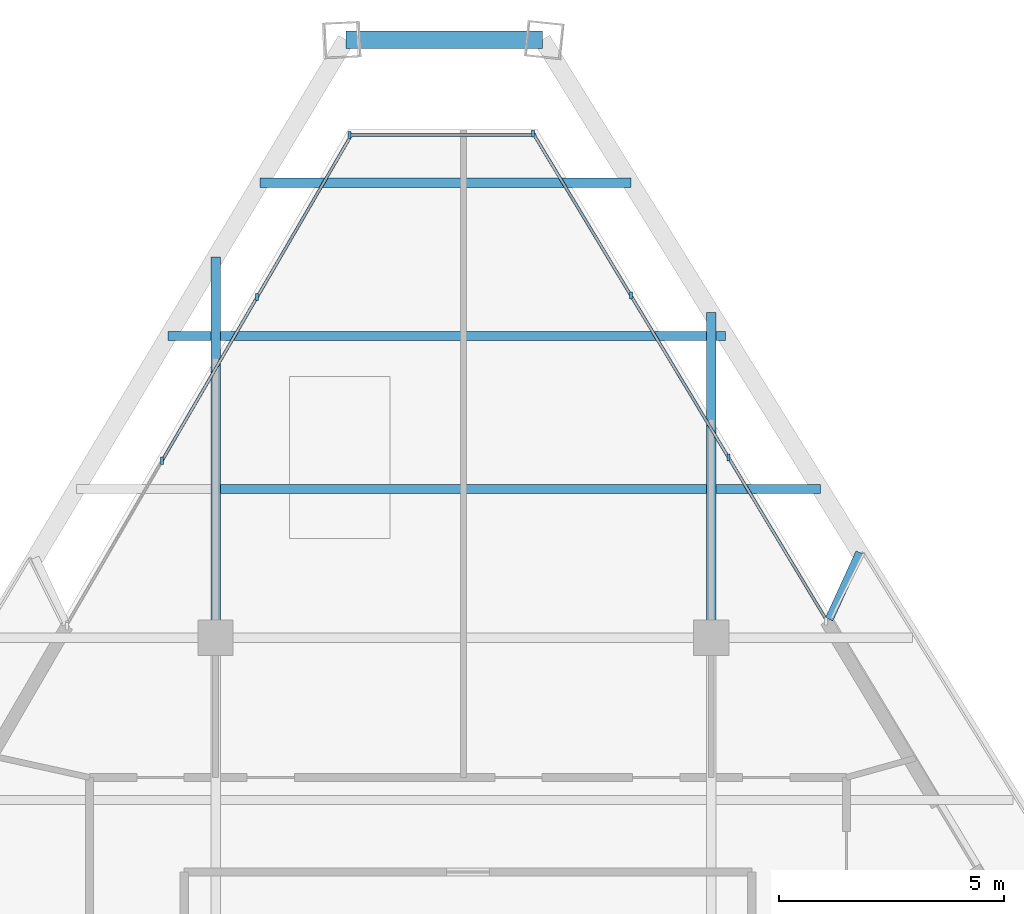
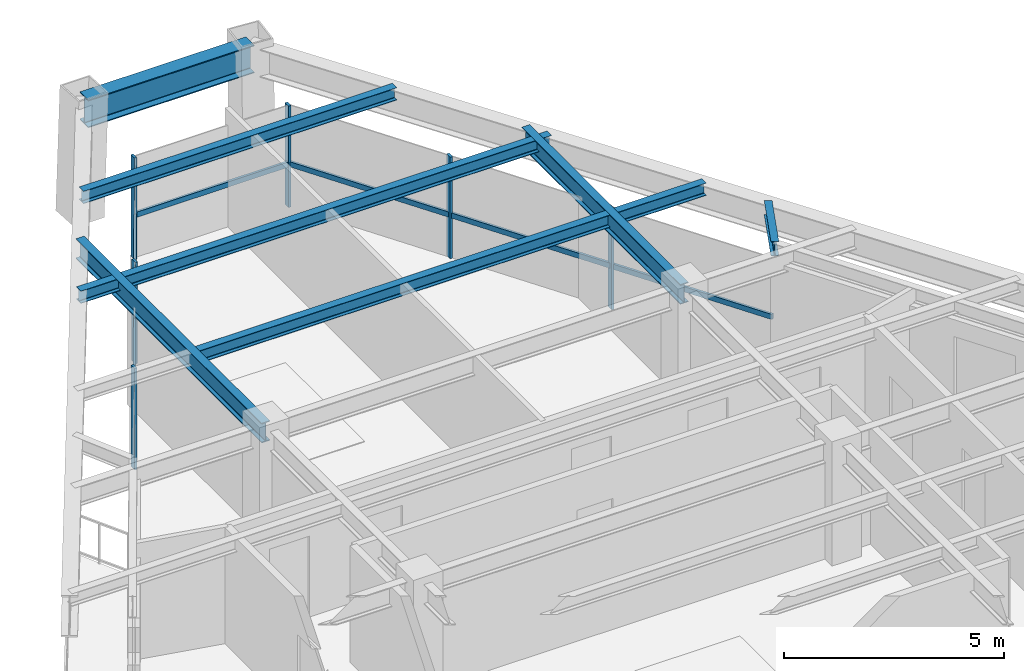
# One storey, part 7 of 13: 12 members, 8 beams, 3 elements without a shape of their own.
"""IFC4 building model written with IfcOpenShell, lengths in metres."""

from ifc_helpers import new_model, si_unit, direction, frame, origin, origin_2d, place, context, subcontext, project, spatial, rectangle, i_section, extrude, source, transform, mapped, material, material_profile, profile_set, type_object, type_shapes, element, aggregate, save


model = new_model("IFC4")

# Units and contexts
model_context = context("Model", 3, precision=1e-05, world=origin(), true_north=direction((0.0, 1.0)))
body_context = subcontext(model_context, "Body", "Model", "MODEL_VIEW")
ifc_project = project(units=[si_unit("LENGTHUNIT", "METRE"), si_unit("AREAUNIT", "SQUARE_METRE"), si_unit("VOLUMEUNIT", "CUBIC_METRE"), si_unit("PLANEANGLEUNIT", "RADIAN"), si_unit("MASSUNIT", "GRAM", prefix="KILO")], contexts=[model_context])

# Site, building, storey
site_placement = place(None, origin())
site = spatial("IfcSite", under=ifc_project, at=site_placement, CompositionType="ELEMENT")
building_placement = place(site_placement, origin())
building = spatial("IfcBuilding", under=site, at=building_placement, Name="Varnakhor Terracotta Tower", CompositionType="ELEMENT")
storey_placement = place(building_placement, frame((0.0, 0.0, 262.64990234375)))
storey = spatial("IfcBuildingStorey", under=building, at=storey_placement, Name="L68", CompositionType="ELEMENT", Elevation=262.64990234375)

# Beams
ifc_material_1 = material(Name="Steel S355", Category="steel")
ifc_material_profile_1 = material_profile(ifc_material_1, i_section(OverallWidth=0.202880859375, OverallDepth=0.346923828125, WebThickness=0.0078125, FlangeThickness=0.013427734375, FilletRadius=0.01806640625, at=origin_2d()), Name="W14X43")
ifc_profile_set_1 = profile_set([ifc_material_profile_1], Name="Steel S355")
beam_type_1 = type_object("IfcBeamType", Name="JST-W14X43", PredefinedType="JOIST", material=ifc_profile_set_1)
shared_shape_1 = source(origin(), body_context, "Body", "SweptSolid", [
    extrude(i_section(OverallWidth=0.202880859375, OverallDepth=0.346923828125, WebThickness=0.0078125, FlangeThickness=0.013427734375, FilletRadius=0.01806640625, at=origin_2d()), origin(), (0.0, 0.0, 1.0), 10.7939453125),
])
beam_1_placement = place(storey_placement, frame((-5.39697265625, 34.800048828125, 3.066650390625), z_axis=(1.0, 0.0, 0.0), x_axis=(0.0, 1.0, 0.0)))
element("IfcBeam", 1, at=beam_1_placement, inside=storey, type_object=beam_type_1, Name="L68 Composite Floor Joist 7-2", PredefinedType="JOIST", context=body_context, shape_type="MappedRepresentation", body=[
    mapped(shared_shape_1, transform((0.0, 0.0, 0.0), scale=1.0)),
])
ifc_material_profile_2 = material_profile(ifc_material_1, i_section(OverallWidth=0.381103515625, OverallDepth=0.77294921875, WebThickness=0.01708984375, FlangeThickness=0.027099609375, FilletRadius=0.01806640625, at=origin_2d()), Name="W30X173")
ifc_profile_set_2 = profile_set([ifc_material_profile_2], Name="Steel S355")
beam_type_2 = type_object("IfcBeamType", Name="BM-W30X173", PredefinedType="BEAM", material=ifc_profile_set_2)
shared_shape_2 = source(origin(), body_context, "Body", "SweptSolid", [
    extrude(i_section(OverallWidth=0.381103515625, OverallDepth=0.77294921875, WebThickness=0.01708984375, FlangeThickness=0.027099609375, FilletRadius=0.01806640625, at=origin_2d()), origin(), (0.0, 0.0, 1.0), 4.361328125),
])
beam_2_placement = place(storey_placement, frame((1.75146484375, 44.772216796875, 2.853515625), z_axis=(-1.0, 0.0, 0.0), x_axis=(0.0, -1.0, 0.0)))
element("IfcBeam", 2, at=beam_2_placement, inside=storey, type_object=beam_type_2, Name="L68 Perimeter Spandrel 5", PredefinedType="BEAM", context=body_context, shape_type="MappedRepresentation", body=[
    mapped(shared_shape_2, transform((0.0, 0.0, 0.0), scale=1.0)),
])
ifc_material_profile_3 = material_profile(ifc_material_1, i_section(OverallWidth=0.214111328125, OverallDepth=0.549072265625, WebThickness=0.014892578125, FlangeThickness=0.02392578125, FilletRadius=0.01806640625, at=origin_2d()), Name="W21X93")
ifc_profile_set_3 = profile_set([ifc_material_profile_3], Name="Steel S355")
beam_type_3 = type_object("IfcBeamType", Name="BM-W21X93", PredefinedType="BEAM", material=ifc_profile_set_3)
shared_shape_3 = source(origin(), body_context, "Body", "SweptSolid", [
    extrude(i_section(OverallWidth=0.214111328125, OverallDepth=0.549072265625, WebThickness=0.014892578125, FlangeThickness=0.02392578125, FilletRadius=0.01806640625, at=origin_2d()), origin(), (0.0, 0.0, 1.0), 8.4541015625),
])
beam_3_placement = place(storey_placement, frame((-5.5, 31.5, 2.965576171875), z_axis=(0.0, 1.0, 0.0), x_axis=(-1.0, 0.0, 0.0)))
element("IfcBeam", 3, at=beam_3_placement, inside=storey, type_object=beam_type_3, Name="L68 Primary Girder NS3-W", PredefinedType="BEAM", context=body_context, shape_type="MappedRepresentation", body=[
    mapped(shared_shape_3, transform((0.0, 0.0, 0.0), scale=1.0)),
])
shared_shape_4 = source(origin(), body_context, "Body", "SweptSolid", [
    extrude(i_section(OverallWidth=0.214111328125, OverallDepth=0.549072265625, WebThickness=0.014892578125, FlangeThickness=0.02392578125, FilletRadius=0.01806640625, at=origin_2d()), origin(), (0.0, 0.0, 1.0), 7.216796875),
])
beam_4_placement = place(storey_placement, frame((5.5, 31.5, 2.965576171875), z_axis=(0.0, 1.0, 0.0), x_axis=(-1.0, 0.0, 0.0)))
element("IfcBeam", 4, at=beam_4_placement, inside=storey, type_object=beam_type_3, Name="L68 Primary Girder NS3-E", PredefinedType="BEAM", context=body_context, shape_type="MappedRepresentation", body=[
    mapped(shared_shape_4, transform((0.0, 0.0, 0.0), scale=1.0)),
])
shared_shape_5 = source(origin(), body_context, "Body", "SweptSolid", [
    extrude(i_section(OverallWidth=0.202880859375, OverallDepth=0.346923828125, WebThickness=0.0078125, FlangeThickness=0.013427734375, FilletRadius=0.01806640625, at=origin_2d()), origin(), (0.0, 0.0, 1.0), 2.32177734375),
])
beam_5_placement = place(storey_placement, frame((5.60302734375, 34.800048828125, 3.066650390625), z_axis=(1.0, 0.0, 0.0), x_axis=(0.0, 1.0, 0.0)))
element("IfcBeam", 5, at=beam_5_placement, inside=storey, type_object=beam_type_1, Name="L68 Composite Floor Joist 7-3", PredefinedType="JOIST", context=body_context, shape_type="MappedRepresentation", body=[
    mapped(shared_shape_5, transform((0.0, 0.0, 0.0), scale=1.0)),
])
shared_shape_6 = source(origin(), body_context, "Body", "SweptSolid", [
    extrude(i_section(OverallWidth=0.202880859375, OverallDepth=0.346923828125, WebThickness=0.0078125, FlangeThickness=0.013427734375, FilletRadius=0.01806640625, at=origin_2d()), origin(), (0.0, 0.0, 1.0), 12.372314453125),
])
beam_6_placement = place(storey_placement, frame((-6.55224609375, 38.199951171875, 3.066650390625), z_axis=(1.0, 0.0, 0.0), x_axis=(0.0, 1.0, 0.0)))
element("IfcBeam", 6, at=beam_6_placement, inside=storey, type_object=beam_type_1, Name="L68 Composite Floor Joist 8-1", PredefinedType="JOIST", context=body_context, shape_type="MappedRepresentation", body=[
    mapped(shared_shape_6, transform((0.0, 0.0, 0.0), scale=1.0)),
])
shared_shape_7 = source(origin(), body_context, "Body", "SweptSolid", [
    extrude(i_section(OverallWidth=0.202880859375, OverallDepth=0.346923828125, WebThickness=0.0078125, FlangeThickness=0.013427734375, FilletRadius=0.01806640625, at=origin_2d()), origin(), (0.0, 0.0, 1.0), 8.227783203125),
])
beam_7_placement = place(storey_placement, frame((-4.5126953125, 41.60009765625, 3.066650390625), z_axis=(1.0, 0.0, 0.0), x_axis=(0.0, 1.0, 0.0)))
element("IfcBeam", 7, at=beam_7_placement, inside=storey, type_object=beam_type_1, Name="L68 Composite Floor Joist 9-1", PredefinedType="JOIST", context=body_context, shape_type="MappedRepresentation", body=[
    mapped(shared_shape_7, transform((0.0, 0.0, 0.0), scale=1.0)),
])

# Curtain wall, members
ifc_material_2 = material(Name="Anodised Aluminium Curtain Wall System", Category="aluminium")
curtain_wall_type = type_object("IfcCurtainWallType", Name="CW-SYS-HOTEL-LOGGIA", PredefinedType="NOTDEFINED", material=ifc_material_2)
curtain_wall_1_placement = place(storey_placement, origin())
curtain_wall_1 = element("IfcCurtainWall", 8, at=curtain_wall_1_placement, inside=storey, type_object=curtain_wall_type, Name="L68 W Facet Curtain Wall 2", PredefinedType="NOTDEFINED")
ifc_material_3 = material(Name="Anodised Aluminium 6063-T6", Category="aluminium")
ifc_material_profile_4 = material_profile(ifc_material_3, rectangle(XDim=0.06494140625, YDim=0.159912109375, at=origin_2d()), Name="ALU MULLION 65x160")
ifc_profile_set_4 = profile_set([ifc_material_profile_4], Name="Anodised Aluminium 6063-T6")
member_type_1 = type_object("IfcMemberType", Name="CWM-04", PredefinedType="MULLION", material=ifc_profile_set_4)
shared_shape_8 = source(origin(), body_context, "Body", "SweptSolid", [
    extrude(rectangle(XDim=0.06494140625, YDim=0.159912109375, at=origin_2d()), origin(), (0.0, 0.0, 1.0), 2.820068359375),
])
type_shapes(member_type_1, [shared_shape_8])
member_1_placement = place(storey_placement, frame((-6.690185546875, 35.427490234375, 0.0), z_axis=(0.0, 0.0, 1.0), x_axis=(1.0, 0.0, 0.0)))
member_1 = element("IfcMember", 9, at=member_1_placement, type_object=member_type_1, Name="L68 W Facet Curtain Wall 2 Mullion 2", PredefinedType="MULLION", context=body_context, shape_type="MappedRepresentation", body=[
    mapped(shared_shape_8, transform((0.0, 0.0, 0.0), scale=1.0)),
])
member_2_placement = place(storey_placement, frame((-4.578369140625, 39.061279296875, 0.0), z_axis=(0.0, 0.0, 1.0), x_axis=(1.0, 0.0, 0.0)))
member_2 = element("IfcMember", 10, at=member_2_placement, type_object=member_type_1, Name="L68 W Facet Curtain Wall 2 Mullion 3", PredefinedType="MULLION", context=body_context, shape_type="MappedRepresentation", body=[
    mapped(shared_shape_8, transform((0.0, 0.0, 0.0), scale=1.0)),
])

# Curtain wall, member
curtain_wall_2_placement = place(storey_placement, origin())
curtain_wall_2 = element("IfcCurtainWall", 11, at=curtain_wall_2_placement, inside=storey, type_object=curtain_wall_type, Name="L68 Facet Curtain Wall 2", PredefinedType="NOTDEFINED")
member_3_placement = place(storey_placement, frame((-2.52490234375, 42.6611328125, 0.0), z_axis=(0.0, 0.0, 1.0), x_axis=(1.0, 0.0, 0.0)))
member_3 = element("IfcMember", 12, at=member_3_placement, type_object=member_type_1, Name="L68 Facet Curtain Wall 2 Mullion 1", PredefinedType="MULLION", context=body_context, shape_type="MappedRepresentation", body=[
    mapped(shared_shape_8, transform((0.0, 0.0, 0.0), scale=1.0)),
])

# Curtain wall, members
curtain_wall_3_placement = place(storey_placement, origin())
curtain_wall_3 = element("IfcCurtainWall", 13, at=curtain_wall_3_placement, inside=storey, type_object=curtain_wall_type, Name="L68 E Facet Curtain Wall 1", PredefinedType="NOTDEFINED")
member_4_placement = place(storey_placement, frame((1.547607421875, 42.693603515625, 0.0), z_axis=(0.0, 0.0, 1.0), x_axis=(1.0, 0.0, 0.0)))
member_4 = element("IfcMember", 14, at=member_4_placement, type_object=member_type_1, Name="L68 E Facet Curtain Wall 1 Mullion 1", PredefinedType="MULLION", context=body_context, shape_type="MappedRepresentation", body=[
    mapped(shared_shape_8, transform((0.0, 0.0, 0.0), scale=1.0)),
])
member_5_placement = place(storey_placement, frame((3.7158203125, 39.09619140625, 0.0), z_axis=(0.0, 0.0, 1.0), x_axis=(1.0, 0.0, 0.0)))
member_5 = element("IfcMember", 15, at=member_5_placement, type_object=member_type_1, Name="L68 E Facet Curtain Wall 1 Mullion 2", PredefinedType="MULLION", context=body_context, shape_type="MappedRepresentation", body=[
    mapped(shared_shape_8, transform((0.0, 0.0, 0.0), scale=1.0)),
])
member_6_placement = place(storey_placement, frame((5.884033203125, 35.498779296875, 0.0), z_axis=(0.0, 0.0, 1.0), x_axis=(1.0, 0.0, 0.0)))
member_6 = element("IfcMember", 16, at=member_6_placement, type_object=member_type_1, Name="L68 E Facet Curtain Wall 1 Mullion 3", PredefinedType="MULLION", context=body_context, shape_type="MappedRepresentation", body=[
    mapped(shared_shape_8, transform((0.0, 0.0, 0.0), scale=1.0)),
])

# Member
ifc_material_profile_5 = material_profile(ifc_material_3, rectangle(XDim=0.06494140625, YDim=0.14501953125, at=origin_2d()), Name="ALU TRANSOM 65x145")
ifc_profile_set_5 = profile_set([ifc_material_profile_5], Name="Anodised Aluminium 6063-T6")
member_type_2 = type_object("IfcMemberType", Name="CWT-04", PredefinedType="USERDEFINED", material=ifc_profile_set_5)
shared_shape_9 = source(origin(), body_context, "Body", "SweptSolid", [
    extrude(rectangle(XDim=0.06494140625, YDim=0.14501953125, at=origin_2d()), origin(), (0.0, 0.0, 1.0), 4.202880859375),
])
member_7_placement = place(storey_placement, frame((-6.690185546875, 35.427490234375, 1.1845703125), z_axis=(0.502469005273, 0.864595222483, 0.0), x_axis=(-0.864595222483, 0.502469005273, 0.0)))
member_7 = element("IfcMember", 17, at=member_7_placement, type_object=member_type_2, Name="L68 W Facet Curtain Wall 2 Transom 2", ObjectType="TRANSOM", PredefinedType="USERDEFINED", context=body_context, shape_type="MappedRepresentation", body=[
    mapped(shared_shape_9, transform((0.0, 0.0, 0.0), scale=1.0)),
])

member_8_placement = place(storey_placement, frame((-4.578369140625, 39.061279296875, 1.1845703125), z_axis=(0.502512426272, 0.864569986434, 0.0), x_axis=(-0.864569986434, 0.502512426272, 0.0)))
member_8 = element("IfcMember", 18, at=member_8_placement, type_object=member_type_2, Name="L68 W Facet Curtain Wall 2 Transom 3", ObjectType="TRANSOM", PredefinedType="USERDEFINED", context=body_context, shape_type="MappedRepresentation", body=[
    mapped(shared_shape_9, transform((0.0, 0.0, 0.0), scale=1.0)),
])

aggregate(curtain_wall_1, [member_1, member_7, member_2, member_8])

shared_shape_10 = source(origin(), body_context, "Body", "SweptSolid", [
    extrude(rectangle(XDim=0.06494140625, YDim=0.14501953125, at=origin_2d()), origin(), (0.0, 0.0, 1.0), 4.1298828125),
])
member_9_placement = place(storey_placement, frame((-2.52490234375, 42.6611328125, 1.1845703125), z_axis=(1.0, 0.0, 0.0), x_axis=(0.0, 1.0, 0.0)))
member_9 = element("IfcMember", 19, at=member_9_placement, type_object=member_type_2, Name="L68 Facet Curtain Wall 2 Transom 1", ObjectType="TRANSOM", PredefinedType="USERDEFINED", context=body_context, shape_type="MappedRepresentation", body=[
    mapped(shared_shape_10, transform((0.0, 0.0, 0.0), scale=1.0)),
])

aggregate(curtain_wall_2, [member_3, member_9])

shared_shape_11 = source(origin(), body_context, "Body", "SweptSolid", [
    extrude(rectangle(XDim=0.06494140625, YDim=0.14501953125, at=origin_2d()), origin(), (0.0, 0.0, 1.0), 4.2001953125),
])
member_10_placement = place(storey_placement, frame((1.547607421875, 42.693603515625, 1.1845703125), z_axis=(0.516204279039, -0.856465493935, 0.0), x_axis=(0.856465493935, 0.516204279039, 0.0)))
member_10 = element("IfcMember", 20, at=member_10_placement, type_object=member_type_2, Name="L68 E Facet Curtain Wall 1 Transom 1", ObjectType="TRANSOM", PredefinedType="USERDEFINED", context=body_context, shape_type="MappedRepresentation", body=[
    mapped(shared_shape_11, transform((0.0, 0.0, 0.0), scale=1.0)),
])

member_11_placement = place(storey_placement, frame((3.7158203125, 39.09619140625, 1.1845703125), z_axis=(0.516204279039, -0.856465493935, 0.0), x_axis=(0.856465493935, 0.516204279039, 0.0)))
member_11 = element("IfcMember", 21, at=member_11_placement, type_object=member_type_2, Name="L68 E Facet Curtain Wall 1 Transom 2", ObjectType="TRANSOM", PredefinedType="USERDEFINED", context=body_context, shape_type="MappedRepresentation", body=[
    mapped(shared_shape_11, transform((0.0, 0.0, 0.0), scale=1.0)),
])

member_12_placement = place(storey_placement, frame((5.884033203125, 35.498779296875, 1.1845703125), z_axis=(0.516204279039, -0.856465493935, 0.0), x_axis=(0.856465493935, 0.516204279039, 0.0)))
member_12 = element("IfcMember", 22, at=member_12_placement, type_object=member_type_2, Name="L68 E Facet Curtain Wall 1 Transom 3", ObjectType="TRANSOM", PredefinedType="USERDEFINED", context=body_context, shape_type="MappedRepresentation", body=[
    mapped(shared_shape_11, transform((0.0, 0.0, 0.0), scale=1.0)),
])

aggregate(curtain_wall_3, [member_4, member_10, member_5, member_11, member_6, member_12])

# Beam
ifc_material_profile_6 = material_profile(ifc_material_1, i_section(OverallWidth=0.179931640625, OverallDepth=0.39990234375, WebThickness=0.008544921875, FlangeThickness=0.013427734375, FilletRadius=0.01806640625, at=origin_2d()), Name="IPE400")
ifc_profile_set_6 = profile_set([ifc_material_profile_6], Name="Steel S355")
beam_type_4 = type_object("IfcBeamType", Name="JST-IPE400", PredefinedType="JOIST", material=ifc_profile_set_6)
shared_shape_12 = source(origin(), body_context, "Body", "SweptSolid", [
    extrude(i_section(OverallWidth=0.179931640625, OverallDepth=0.39990234375, WebThickness=0.008544921875, FlangeThickness=0.013427734375, FilletRadius=0.01806640625, at=origin_2d()), origin(), (0.0, 0.0, 1.0), 1.63330078125),
])
beam_8_placement = place(storey_placement, frame((8.115234375, 31.908203125, 3.0400390625), z_axis=(0.416582653091, 0.909097845748, 0.0), x_axis=(-0.909097845748, 0.416582653091, 0.0)))
element("IfcBeam", 23, at=beam_8_placement, inside=storey, type_object=beam_type_4, Name="L69 E Loggia Tie Beam 1", PredefinedType="JOIST", context=body_context, shape_type="MappedRepresentation", body=[
    mapped(shared_shape_12, transform((0.0, 0.0, 0.0), scale=1.0)),
])

save(model, "model.ifc")
